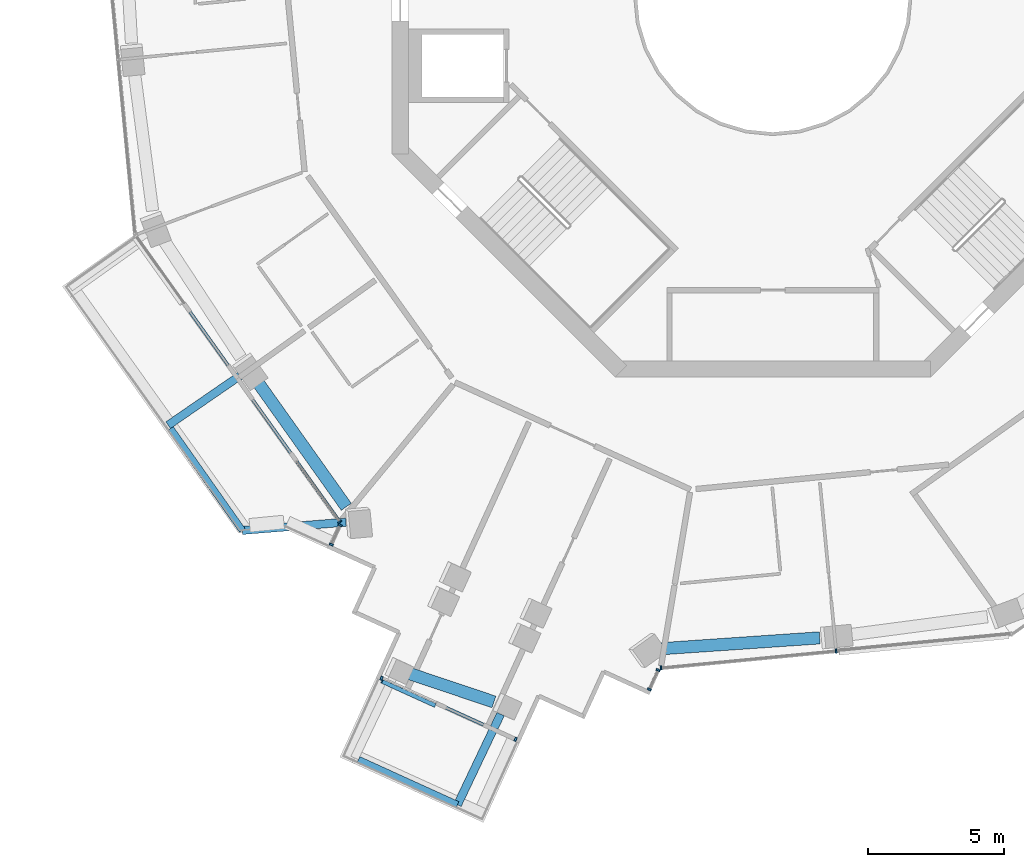
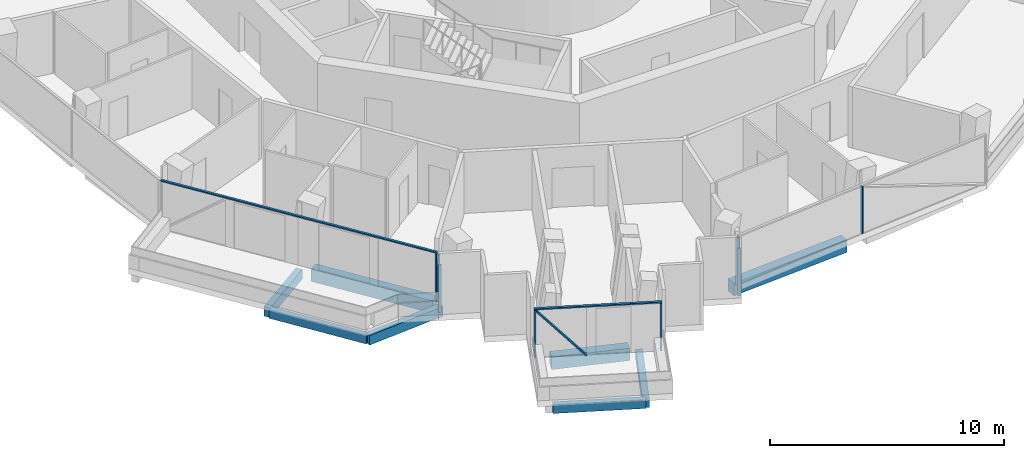
# One storey, part 2 of 22: 12 members, 8 beams, 5 elements without a shape of their own.
"""IFC4 building model written with IfcOpenShell, lengths in metres."""

from ifc_helpers import new_model, si_unit, direction, frame, origin, origin_2d, place, context, subcontext, project, spatial, rectangle, extrude, material, layer, layer_set, material_profile, profile_set, type_object, element, aggregate, save


model = new_model("IFC4")

# Units and contexts
model_context = context("Model", 3, precision=1e-05, world=origin(), true_north=direction((0.0, 1.0)))
body_context = subcontext(model_context, "Body", "Model", "MODEL_VIEW")
ifc_project = project(units=[si_unit("LENGTHUNIT", "METRE"), si_unit("AREAUNIT", "SQUARE_METRE"), si_unit("VOLUMEUNIT", "CUBIC_METRE"), si_unit("PLANEANGLEUNIT", "RADIAN"), si_unit("MASSUNIT", "GRAM", prefix="KILO")], contexts=[model_context])

# Site, building, storey
site_placement = place(None, origin())
site = spatial("IfcSite", under=ifc_project, at=site_placement, CompositionType="ELEMENT")
building_placement = place(site_placement, origin())
building = spatial("IfcBuilding", under=site, at=building_placement, Name="Verdalira Terraces Hotel", CompositionType="ELEMENT")
storey_placement = place(building_placement, frame((0.0, 0.0, 180.0)))
storey = spatial("IfcBuildingStorey", under=building, at=storey_placement, Name="L43", CompositionType="ELEMENT", Elevation=180.0)

# Beams
ifc_material_1 = material(Name="Concrete C40", Category="concrete")
ifc_material_profile_1 = material_profile(ifc_material_1, rectangle(XDim=0.300049, YDim=0.5, at=origin_2d()), Name="RC 300X500")
ifc_profile_set_1 = profile_set([ifc_material_profile_1], Name="Concrete C40")
beam_type_1 = type_object("IfcBeamType", Name="Balcony cantilever beam RC 300X500 C40", PredefinedType="BEAM", material=ifc_profile_set_1)
beam_1_placement = place(storey_placement, frame((-19.599365, -13.951904, -0.560059), z_axis=(-0.823540858, -0.567256957, 0.0), x_axis=(0.567256957, -0.823540858, 0.0)))
element("IfcBeam", 1, at=beam_1_placement, inside=storey, type_object=beam_type_1, Name="Balcony cantilever beam R13-1", PredefinedType="BEAM", context=body_context, shape_type="SweptSolid", body=[
    extrude(rectangle(XDim=0.300049, YDim=0.5, at=origin_2d()), origin(), (0.0, 0.0, 1.0), 3.200684),
])
beam_2_placement = place(storey_placement, frame((-15.696777, -19.333252, -0.560059), z_axis=(-0.996834943, -0.079499039, 0.0), x_axis=(0.079499039, -0.996834943, 0.0)))
element("IfcBeam", 2, at=beam_2_placement, inside=storey, type_object=beam_type_1, Name="Balcony cantilever beam R13-2", PredefinedType="BEAM", context=body_context, shape_type="SweptSolid", body=[
    extrude(rectangle(XDim=0.300049, YDim=0.5, at=origin_2d()), origin(), (0.0, 0.0, 1.0), 3.823486),
])
beam_3_placement = place(storey_placement, frame((-10.011719, -26.394043, -0.560059), z_axis=(-0.429602141, -0.903018273, 0.0), x_axis=(0.903018273, -0.429602141, 0.0)))
element("IfcBeam", 3, at=beam_3_placement, inside=storey, type_object=beam_type_1, Name="Balcony cantilever beam R19-2", PredefinedType="BEAM", context=body_context, shape_type="SweptSolid", body=[
    extrude(rectangle(XDim=0.300049, YDim=0.5, at=origin_2d()), origin(), (0.0, 0.0, 1.0), 3.688721),
])
ifc_material_2 = material(Name="Concrete C40", Category="concrete")
ifc_material_profile_2 = material_profile(ifc_material_2, rectangle(XDim=0.25, YDim=0.449951, at=origin_2d()), Name="RC 250X450")
ifc_profile_set_2 = profile_set([ifc_material_profile_2], Name="Concrete C40")
beam_type_2 = type_object("IfcBeamType", Name="Balcony edge beam RC 250X450 C40", PredefinedType="BEAM", material=ifc_profile_set_2)
beam_4_placement = place(storey_placement, frame((-22.148682, -15.890381, -0.534912), z_axis=(0.57607244, -0.817398644, 0.0), x_axis=(0.817398644, 0.57607244, 0.0)))
element("IfcBeam", 4, at=beam_4_placement, inside=storey, type_object=beam_type_2, Name="Balcony edge beam R13-1", PredefinedType="BEAM", context=body_context, shape_type="SweptSolid", body=[
    extrude(rectangle(XDim=0.25, YDim=0.449951, at=origin_2d()), origin(), (0.0, 0.0, 1.0), 4.58374),
])
beam_5_placement = place(storey_placement, frame((-15.239746, -28.066406, -0.534912), z_axis=(0.910117768, -0.414349669, 0.0), x_axis=(0.414349669, 0.910117768, 0.0)))
element("IfcBeam", 5, at=beam_5_placement, inside=storey, type_object=beam_type_2, Name="Balcony edge beam R19-1", PredefinedType="BEAM", context=body_context, shape_type="SweptSolid", body=[
    extrude(rectangle(XDim=0.25, YDim=0.449951, at=origin_2d()), origin(), (0.0, 0.0, 1.0), 4.003174),
])

# Curtain wall, member
ifc_material_3 = material(Name="Clear glass", Category="glass")
ifc_layer_1 = layer(ifc_material_3, 0.14990234375)
ifc_layer_set_1 = layer_set([ifc_layer_1], Name="CW1 curtain wall")
curtain_wall_type_1 = type_object("IfcCurtainWallType", Name="CW1 curtain wall", PredefinedType="NOTDEFINED", material=ifc_layer_set_1)
curtain_wall_1_placement = place(storey_placement, origin())
curtain_wall_1 = element("IfcCurtainWall", 6, at=curtain_wall_1_placement, inside=storey, type_object=curtain_wall_type_1, Name="CW1 curtain wall L43 edge 13", PredefinedType="NOTDEFINED")
ifc_material_4 = material(Name="Terracotta frame", Category="masonry")
ifc_material_profile_3 = material_profile(ifc_material_4, rectangle(XDim=0.060059, YDim=0.149902, at=origin_2d()), Name="MU 60x150")
ifc_profile_set_3 = profile_set([ifc_material_profile_3], Name="Terracotta frame")
member_type_1 = type_object("IfcMemberType", Name="CW1 mullion 60x150", PredefinedType="MULLION", material=ifc_profile_set_3)
member_1_placement = place(storey_placement, frame((-15.924072, -19.316162, 0.0), z_axis=(0.0, 0.0, 1.0), x_axis=(0.5809871, -0.813912765, 0.0)))
member_1 = element("IfcMember", 7, at=member_1_placement, type_object=member_type_1, Name="CW1 mullion", PredefinedType="MULLION", context=body_context, shape_type="SweptSolid", body=[
    extrude(rectangle(XDim=0.060059, YDim=0.149902, at=origin_2d()), origin(), (0.0, 0.0, 1.0), 2.475098),
])

# Curtain wall, members
curtain_wall_2_placement = place(storey_placement, origin())
curtain_wall_2 = element("IfcCurtainWall", 8, at=curtain_wall_2_placement, inside=storey, type_object=curtain_wall_type_1, Name="CW1 curtain wall L43 edge 25", PredefinedType="NOTDEFINED")
member_2_placement = place(storey_placement, frame((-4.11377, -24.693604, 0.0), z_axis=(0.0, 0.0, 1.0), x_axis=(0.995362681, 0.096193205, 0.0)))
member_2 = element("IfcMember", 9, at=member_2_placement, type_object=member_type_1, Name="CW1 mullion", PredefinedType="MULLION", context=body_context, shape_type="SweptSolid", body=[
    extrude(rectangle(XDim=0.060059, YDim=0.149902, at=origin_2d()), origin(), (0.0, 0.0, 1.0), 2.475098),
])
member_3_placement = place(storey_placement, frame((2.326172, -24.071289, 0.0), z_axis=(0.0, 0.0, 1.0), x_axis=(0.995362681, 0.096193205, 0.0)))
member_3 = element("IfcMember", 10, at=member_3_placement, type_object=member_type_1, Name="CW1 mullion", PredefinedType="MULLION", context=body_context, shape_type="SweptSolid", body=[
    extrude(rectangle(XDim=0.060059, YDim=0.149902, at=origin_2d()), origin(), (0.0, 0.0, 1.0), 2.475098),
])
aggregate(curtain_wall_2, [member_2, member_3])

# Member
ifc_material_5 = material(Name="Terracotta frame", Category="masonry")
ifc_material_profile_4 = material_profile(ifc_material_5, rectangle(XDim=0.110107, YDim=0.064941, at=origin_2d()), Name="TR 65x110")
ifc_profile_set_4 = profile_set([ifc_material_profile_4], Name="Terracotta frame")
member_type_2 = type_object("IfcMemberType", Name="CW1 transom 65x110", PredefinedType="USERDEFINED", material=ifc_profile_set_4)
member_4_placement = place(storey_placement, frame((-23.436279, -8.79248, 2.507568), z_axis=(0.580992251, -0.813909089, 0.0), x_axis=(0.813909089, 0.580992251, 0.0)))
member_4 = element("IfcMember", 11, at=member_4_placement, type_object=member_type_2, Name="CW1 transom", ObjectType="TRANSOM", PredefinedType="USERDEFINED", context=body_context, shape_type="SweptSolid", body=[
    extrude(rectangle(XDim=0.110107, YDim=0.064941, at=origin_2d()), origin(), (0.0, 0.0, 1.0), 12.959717),
])

aggregate(curtain_wall_1, [member_1, member_4])

# Curtain wall, members
ifc_material_6 = material(Name="Clear glass", Category="glass")
ifc_layer_2 = layer(ifc_material_6, 0.14990234375)
ifc_layer_set_2 = layer_set([ifc_layer_2], Name="CW2 curtain wall")
curtain_wall_type_2 = type_object("IfcCurtainWallType", Name="CW2 curtain wall", PredefinedType="NOTDEFINED", material=ifc_layer_set_2)
curtain_wall_3_placement = place(storey_placement, origin())
curtain_wall_3 = element("IfcCurtainWall", 12, at=curtain_wall_3_placement, inside=storey, type_object=curtain_wall_type_2, Name="CW2 curtain wall L43 edge 14", PredefinedType="NOTDEFINED")
ifc_material_7 = material(Name="Terracotta frame", Category="masonry")
ifc_material_profile_5 = material_profile(ifc_material_7, rectangle(XDim=0.070068, YDim=0.149902, at=origin_2d()), Name="MU 70x150")
ifc_profile_set_5 = profile_set([ifc_material_profile_5], Name="Terracotta frame")
member_type_3 = type_object("IfcMemberType", Name="CW2 mullion 70x150", PredefinedType="MULLION", material=ifc_profile_set_5)
member_5_placement = place(storey_placement, frame((-15.914062, -19.447021, 0.0), z_axis=(0.0, 0.0, 1.0), x_axis=(-0.414375581, -0.910105971, 0.0)))
member_5 = element("IfcMember", 13, at=member_5_placement, type_object=member_type_3, Name="CW2 mullion", PredefinedType="MULLION", context=body_context, shape_type="SweptSolid", body=[
    extrude(rectangle(XDim=0.070068, YDim=0.149902, at=origin_2d()), origin(), (0.0, 0.0, 1.0), 2.475098),
])
member_6_placement = place(storey_placement, frame((-16.237305, -20.156982, 0.0), z_axis=(0.0, 0.0, 1.0), x_axis=(-0.414375581, -0.910105971, 0.0)))
member_6 = element("IfcMember", 14, at=member_6_placement, type_object=member_type_3, Name="CW2 mullion", PredefinedType="MULLION", context=body_context, shape_type="SweptSolid", body=[
    extrude(rectangle(XDim=0.070068, YDim=0.149902, at=origin_2d()), origin(), (0.0, 0.0, 1.0), 2.475098),
])
aggregate(curtain_wall_3, [member_5, member_6])

curtain_wall_4_placement = place(storey_placement, origin())
curtain_wall_4 = element("IfcCurtainWall", 15, at=curtain_wall_4_placement, inside=storey, type_object=curtain_wall_type_2, Name="CW2 curtain wall L43 edge 24", PredefinedType="NOTDEFINED")
member_7_placement = place(storey_placement, frame((-4.542236, -25.481689, 0.0), z_axis=(0.0, 0.0, 1.0), x_axis=(0.414375581, 0.910105971, 0.0)))
member_7 = element("IfcMember", 16, at=member_7_placement, type_object=member_type_3, Name="CW2 mullion", PredefinedType="MULLION", context=body_context, shape_type="SweptSolid", body=[
    extrude(rectangle(XDim=0.070068, YDim=0.149902, at=origin_2d()), origin(), (0.0, 0.0, 1.0), 2.475098),
])
member_8_placement = place(storey_placement, frame((-4.219238, -24.771973, 0.0), z_axis=(0.0, 0.0, 1.0), x_axis=(0.414375581, 0.910105971, 0.0)))
member_8 = element("IfcMember", 17, at=member_8_placement, type_object=member_type_3, Name="CW2 mullion", PredefinedType="MULLION", context=body_context, shape_type="SweptSolid", body=[
    extrude(rectangle(XDim=0.070068, YDim=0.149902, at=origin_2d()), origin(), (0.0, 0.0, 1.0), 2.475098),
])
aggregate(curtain_wall_4, [member_7, member_8])

ifc_material_8 = material(Name="Clear glass", Category="glass")
ifc_layer_3 = layer(ifc_material_8, 0.14990234375)
ifc_layer_set_3 = layer_set([ifc_layer_3], Name="CW3 curtain wall")
curtain_wall_type_3 = type_object("IfcCurtainWallType", Name="CW3 curtain wall", PredefinedType="NOTDEFINED", material=ifc_layer_set_3)
curtain_wall_5_placement = place(storey_placement, origin())
curtain_wall_5 = element("IfcCurtainWall", 18, at=curtain_wall_5_placement, inside=storey, type_object=curtain_wall_type_3, Name="CW3 curtain wall L43 edge 19", PredefinedType="NOTDEFINED")
ifc_material_9 = material(Name="Terracotta frame", Category="masonry")
ifc_material_profile_6 = material_profile(ifc_material_9, rectangle(XDim=0.080078, YDim=0.149902, at=origin_2d()), Name="MU 80x150")
ifc_profile_set_6 = profile_set([ifc_material_profile_6], Name="Terracotta frame")
member_type_4 = type_object("IfcMemberType", Name="CW3 mullion 80x150", PredefinedType="MULLION", material=ifc_profile_set_6)
member_9_placement = place(storey_placement, frame((-14.393555, -25.072998, 0.0), z_axis=(0.0, 0.0, 1.0), x_axis=(0.910105971, -0.414375581, 0.0)))
member_9 = element("IfcMember", 19, at=member_9_placement, type_object=member_type_4, Name="CW3 mullion", PredefinedType="MULLION", context=body_context, shape_type="SweptSolid", body=[
    extrude(rectangle(XDim=0.080078, YDim=0.149902, at=origin_2d()), origin(), (0.0, 0.0, 1.0), 2.475098),
])
member_10_placement = place(storey_placement, frame((-9.460693, -27.318848, 0.0), z_axis=(0.0, 0.0, 1.0), x_axis=(0.910105971, -0.414375581, 0.0)))
member_10 = element("IfcMember", 20, at=member_10_placement, type_object=member_type_4, Name="CW3 mullion", PredefinedType="MULLION", context=body_context, shape_type="SweptSolid", body=[
    extrude(rectangle(XDim=0.080078, YDim=0.149902, at=origin_2d()), origin(), (0.0, 0.0, 1.0), 2.475098),
])
ifc_material_10 = material(Name="Terracotta frame", Category="masonry")
ifc_material_profile_7 = material_profile(ifc_material_10, rectangle(XDim=0.120117, YDim=0.064941, at=origin_2d()), Name="TR 65x120")
ifc_profile_set_7 = profile_set([ifc_material_profile_7], Name="Terracotta frame")
member_type_5 = type_object("IfcMemberType", Name="CW3 transom 65x120", PredefinedType="USERDEFINED", material=ifc_profile_set_7)
member_11_placement = place(storey_placement, frame((-14.429932, -25.056396, 2.507568), z_axis=(0.910107871, -0.414371408, 0.0), x_axis=(0.414371408, 0.910107871, 0.0)))
member_11 = element("IfcMember", 21, at=member_11_placement, type_object=member_type_5, Name="CW3 transom", ObjectType="TRANSOM", PredefinedType="USERDEFINED", context=body_context, shape_type="SweptSolid", body=[
    extrude(rectangle(XDim=0.120117, YDim=0.064941, at=origin_2d()), origin(), (0.0, 0.0, 1.0), 5.5),
])
ifc_material_11 = material(Name="Terracotta frame", Category="masonry")
ifc_material_profile_8 = material_profile(ifc_material_11, rectangle(XDim=0.149902, YDim=0.060059, at=origin_2d()), Name="GB 60x150")
ifc_profile_set_8 = profile_set([ifc_material_profile_8], Name="Terracotta frame")
member_type_6 = type_object("IfcMemberType", Name="Diagonal glazing bar 60x150", PredefinedType="USERDEFINED", material=ifc_profile_set_8)
member_12_placement = place(storey_placement, frame((-14.374023, -25.184082, 2.447998), z_axis=(0.601557192, -0.27387539, -0.750414029), x_axis=(0.41435495, 0.910115364, 0.0)))
member_12 = element("IfcMember", 22, at=member_12_placement, type_object=member_type_6, Name="Diagonal glazing bar", ObjectType="GLAZING BAR", PredefinedType="USERDEFINED", context=body_context, shape_type="SweptSolid", body=[
    extrude(rectangle(XDim=0.149902, YDim=0.060059, at=origin_2d()), origin(), (0.0, 0.0, 1.0), 3.226074),
])
aggregate(curtain_wall_5, [member_9, member_10, member_11, member_12])

# Beams
ifc_material_12 = material(Name="Concrete C50", Category="concrete")
ifc_material_profile_9 = material_profile(ifc_material_12, rectangle(XDim=0.449951, YDim=0.649902, at=origin_2d()), Name="RC 450X650")
ifc_profile_set_9 = profile_set([ifc_material_profile_9], Name="Concrete C50")
beam_type_3 = type_object("IfcBeamType", Name="Spandrel beam RC 450X650 C50", PredefinedType="SPANDREL", material=ifc_profile_set_9)
beam_6_placement = place(storey_placement, frame((-18.991699, -14.116211, -0.63501), z_axis=(0.57926549, -0.81513894, 0.0), x_axis=(0.81513894, 0.57926549, 0.0)))
element("IfcBeam", 23, at=beam_6_placement, inside=storey, type_object=beam_type_3, Name="Spandrel beam B09", PredefinedType="SPANDREL", context=body_context, shape_type="SweptSolid", body=[
    extrude(rectangle(XDim=0.449951, YDim=0.649902, at=origin_2d()), origin(), (0.0, 0.0, 1.0), 5.706299),
])
beam_7_placement = place(storey_placement, frame((-13.486084, -24.859131, -0.63501), z_axis=(0.947956522, -0.3183998, 0.0), x_axis=(0.3183998, 0.947956522, 0.0)))
element("IfcBeam", 24, at=beam_7_placement, inside=storey, type_object=beam_type_3, Name="Spandrel beam B10", PredefinedType="SPANDREL", context=body_context, shape_type="SweptSolid", body=[
    extrude(rectangle(XDim=0.449951, YDim=0.649902, at=origin_2d()), origin(), (0.0, 0.0, 1.0), 3.404541),
])
beam_8_placement = place(storey_placement, frame((-4.078125, -23.984375, -0.63501), z_axis=(0.997666367, 0.068277516, 0.0), x_axis=(-0.068277516, 0.997666367, 0.0)))
element("IfcBeam", 25, at=beam_8_placement, inside=storey, type_object=beam_type_3, Name="Spandrel beam B11", PredefinedType="SPANDREL", context=body_context, shape_type="SweptSolid", body=[
    extrude(rectangle(XDim=0.449951, YDim=0.649902, at=origin_2d()), origin(), (0.0, 0.0, 1.0), 5.814209),
])

save(model, "model.ifc")
